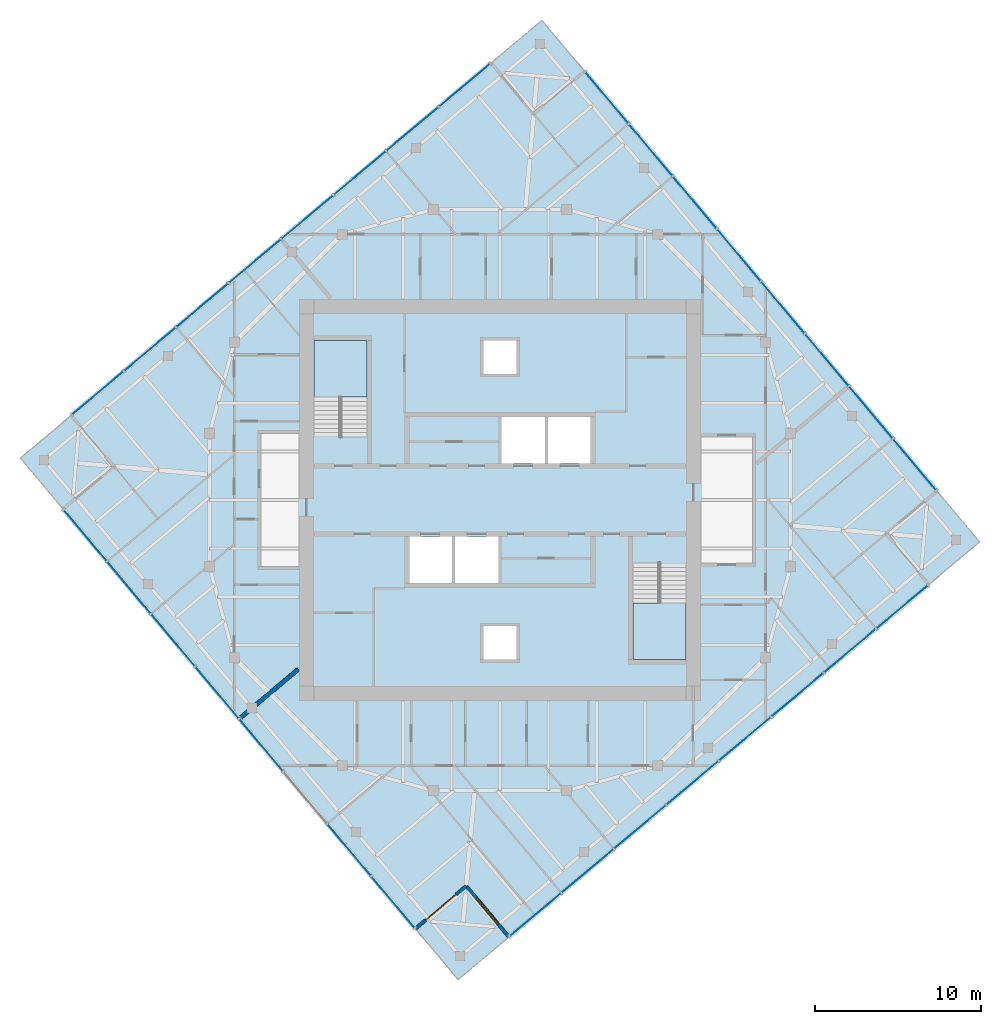
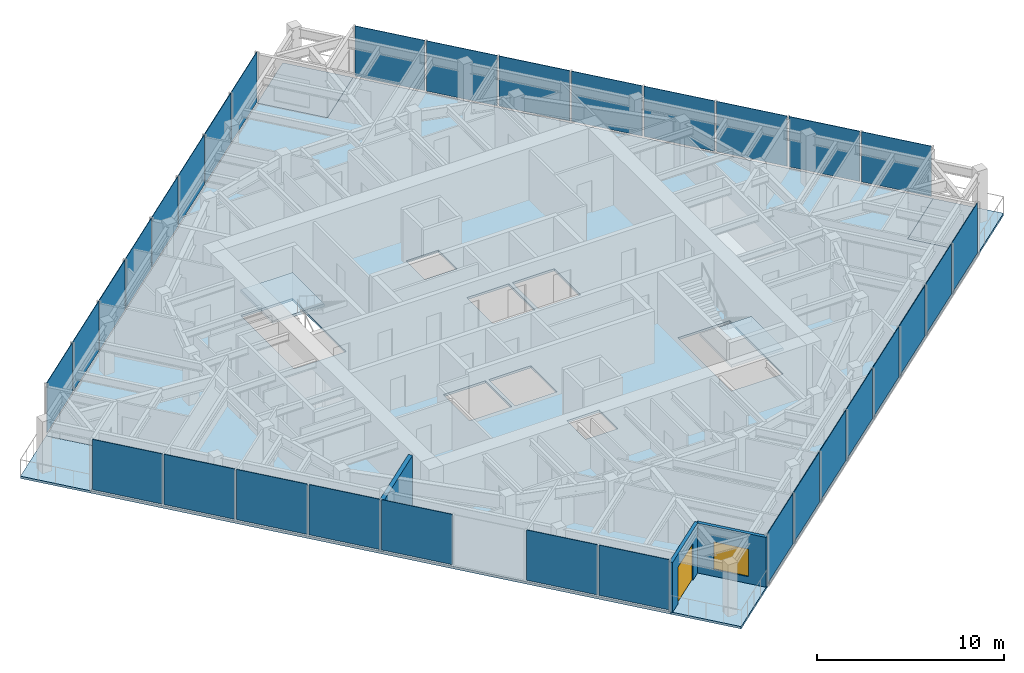
# One storey, part 6 of 12: 31 plates, 7 slabs, 3 walls, 1 door, 1 window, 2 openings, 6 elements without a shape of their own.
"""IFC4 building model written with IfcOpenShell, lengths in metres."""

from ifc_helpers import new_model, si_unit, direction, frame, frame_2d, origin, origin_2d, place, context, subcontext, project, spatial, polyline, rectangle, outline, extrude, material, layer, layer_set, type_object, element, fill, aggregate, save


model = new_model("IFC4")

# Units and contexts
model_context = context("Model", 3, precision=1e-05, world=origin(), true_north=direction((0.0, 1.0)))
body_context = subcontext(model_context, "Body", "Model", "MODEL_VIEW")
ifc_project = project(units=[si_unit("LENGTHUNIT", "METRE"), si_unit("AREAUNIT", "SQUARE_METRE"), si_unit("VOLUMEUNIT", "CUBIC_METRE"), si_unit("PLANEANGLEUNIT", "RADIAN"), si_unit("MASSUNIT", "GRAM", prefix="KILO")], contexts=[model_context])

# Site, building, storey
site_placement = place(None, origin())
site = spatial("IfcSite", under=ifc_project, at=site_placement, CompositionType="ELEMENT")
building_placement = place(site_placement, origin())
building = spatial("IfcBuilding", under=site, at=building_placement, Name="Torsade Residences", CompositionType="ELEMENT")
storey_placement = place(building_placement, frame((0.0, 0.0, 289.60009765625)))
storey = spatial("IfcBuildingStorey", under=building, at=storey_placement, Name="L80", CompositionType="ELEMENT", Elevation=289.60009765625)

# Slab
ifc_material_1 = material(Name="Concrete 40 MPa", Category="concrete")
ifc_layer_1 = layer(ifc_material_1, 0.14990234375)
ifc_layer_set_1 = layer_set([ifc_layer_1], Name="Concrete 40 MPa")
slab_type_1 = type_object("IfcSlabType", Name="COMPOSITE FLOOR SLAB 150", PredefinedType="FLOOR", material=ifc_layer_set_1)
slab_1_placement = place(storey_placement, frame((0.0, 0.0, -0.150146484375)))
element("IfcSlab", 1, at=slab_1_placement, inside=storey, type_object=slab_type_1, Name="Floor slab L80", PredefinedType="FLOOR", context=body_context, shape_type="SweptSolid", body=[
    extrude(outline(polyline([(40.537353515625, 3.690185546875), (65.81689453125, 24.902099609375), (63.245849609375, 27.96630859375), (66.309814453125, 30.537353515625), (45.097900390625, 55.81689453125), (42.03369140625, 53.245849609375), (39.462646484375, 56.309814453125), (14.18310546875, 35.097900390625), (16.754150390625, 32.03369140625), (13.690185546875, 29.462646484375), (34.902099609375, 4.18310546875), (37.96630859375, 6.754150390625), (40.537353515625, 3.690185546875)]), holes=[polyline([(51.199951171875, 26.1201171875), (48.0, 26.1201171875), (48.0, 20.39990234375), (51.199951171875, 20.39990234375), (51.199951171875, 26.1201171875)]), polyline([(45.5, 35.0), (42.89990234375, 35.0), (42.89990234375, 32.199951171875), (45.5, 32.199951171875), (45.5, 35.0)]), polyline([(42.699951171875, 35.0), (40.10009765625, 35.0), (40.10009765625, 32.199951171875), (42.699951171875, 32.199951171875), (42.699951171875, 35.0)]), polyline([(41.0, 22.39990234375), (39.0, 22.39990234375), (39.0, 20.39990234375), (41.0, 20.39990234375), (41.0, 22.39990234375)]), polyline([(41.0, 39.60009765625), (39.0, 39.60009765625), (39.0, 37.60009765625), (41.0, 37.60009765625), (41.0, 39.60009765625)]), polyline([(39.89990234375, 27.800048828125), (37.300048828125, 27.800048828125), (37.300048828125, 25.0), (39.89990234375, 25.0), (39.89990234375, 27.800048828125)]), polyline([(37.10009765625, 27.800048828125), (34.5, 27.800048828125), (34.5, 25.0), (37.10009765625, 25.0), (37.10009765625, 27.800048828125)]), polyline([(32.0, 39.60009765625), (28.800048828125, 39.60009765625), (28.800048828125, 33.8798828125), (32.0, 33.8798828125), (32.0, 39.60009765625)])]), origin(), (0.0, 0.0, 1.0), 0.150146484375),
])

# Curtain wall, plates
ifc_material_2 = material(Name="Aluminium and glass", Category="aluminium")
curtain_wall_type = type_object("IfcCurtainWallType", Name="FRITTED GLASS CURTAIN WALL HIGH ZONE", PredefinedType="NOTDEFINED", material=ifc_material_2)
curtain_wall_1_placement = place(storey_placement, origin())
curtain_wall_1 = element("IfcCurtainWall", 2, at=curtain_wall_1_placement, inside=storey, type_object=curtain_wall_type, Name="Curtain wall L80 face 1", PredefinedType="NOTDEFINED")
ifc_material_3 = material(Name="Laminated glass", Category="glass")
ifc_layer_2 = layer(ifc_material_3, 0.031982421875)
ifc_layer_set_2 = layer_set([ifc_layer_2], Name="Laminated glass")
plate_type_1 = type_object("IfcPlateType", Name="FRITTED GLASS PANEL", PredefinedType="CURTAIN_PANEL", material=ifc_layer_set_2)
plate_1_placement = place(storey_placement, frame((42.136474609375, 5.031982421875, 0.1201171875), z_axis=(0.0, 0.0, 1.0), x_axis=(0.766044437106, 0.642787616853, 0.0)))
plate_1 = element("IfcPlate", 3, at=plate_1_placement, type_object=plate_type_1, Name="Panel 1", PredefinedType="CURTAIN_PANEL", context=body_context, shape_type="SweptSolid", body=[
    extrude(rectangle(XDim=3.97509765625, YDim=0.031982421875, at=origin_2d()), origin(), (0.0, 0.0, 1.0), 3.280029296875),
])
plate_2_placement = place(storey_placement, frame((48.437255859375, 10.31884765625, 0.1201171875), z_axis=(0.0, 0.0, 1.0), x_axis=(0.766044437106, 0.642787616853, 0.0)))
plate_2 = element("IfcPlate", 4, at=plate_2_placement, type_object=plate_type_1, Name="Panel 3", PredefinedType="CURTAIN_PANEL", context=body_context, shape_type="SweptSolid", body=[
    extrude(rectangle(XDim=4.02490234375, YDim=0.031982421875, at=origin_2d()), origin(), (0.0, 0.0, 1.0), 3.280029296875),
])
plate_3_placement = place(storey_placement, frame((51.59716796875, 12.970458984375, 0.1201171875), z_axis=(0.0, 0.0, 1.0), x_axis=(0.766044437106, 0.642787616853, 0.0)))
plate_3 = element("IfcPlate", 5, at=plate_3_placement, type_object=plate_type_1, Name="Panel 4", PredefinedType="CURTAIN_PANEL", context=body_context, shape_type="SweptSolid", body=[
    extrude(rectangle(XDim=4.02490234375, YDim=0.031982421875, at=origin_2d()), origin(), (0.0, 0.0, 1.0), 3.280029296875),
])
plate_4_placement = place(storey_placement, frame((54.757080078125, 15.621826171875, 0.1201171875), z_axis=(0.0, 0.0, 1.0), x_axis=(0.766044437106, 0.642787616853, 0.0)))
plate_4 = element("IfcPlate", 6, at=plate_4_placement, type_object=plate_type_1, Name="Panel 5", PredefinedType="CURTAIN_PANEL", context=body_context, shape_type="SweptSolid", body=[
    extrude(rectangle(XDim=4.02490234375, YDim=0.031982421875, at=origin_2d()), origin(), (0.0, 0.0, 1.0), 3.280029296875),
])
plate_5_placement = place(storey_placement, frame((61.076904296875, 20.9248046875, 0.1201171875), z_axis=(0.0, 0.0, 1.0), x_axis=(0.766044437106, 0.642787616853, 0.0)))
plate_5 = element("IfcPlate", 7, at=plate_5_placement, type_object=plate_type_1, Name="Panel 7", PredefinedType="CURTAIN_PANEL", context=body_context, shape_type="SweptSolid", body=[
    extrude(rectangle(XDim=4.02490234375, YDim=0.031982421875, at=origin_2d()), origin(), (0.0, 0.0, 1.0), 3.280029296875),
])
plate_6_placement = place(storey_placement, frame((64.2177734375, 23.560302734375, 0.1201171875), z_axis=(0.0, 0.0, 1.0), x_axis=(0.766044437106, 0.642787616853, 0.0)))
plate_6 = element("IfcPlate", 8, at=plate_6_placement, type_object=plate_type_1, Name="Panel 8", PredefinedType="CURTAIN_PANEL", context=body_context, shape_type="SweptSolid", body=[
    extrude(rectangle(XDim=3.97509765625, YDim=0.031982421875, at=origin_2d()), origin(), (0.0, 0.0, 1.0), 3.280029296875),
])

curtain_wall_2_placement = place(storey_placement, origin())
curtain_wall_2 = element("IfcCurtainWall", 9, at=curtain_wall_2_placement, inside=storey, type_object=curtain_wall_type, Name="Curtain wall L80 face 4", PredefinedType="NOTDEFINED")
plate_7_placement = place(storey_placement, frame((64.968017578125, 32.136474609375, 0.1201171875), z_axis=(0.0, 0.0, 1.0), x_axis=(-0.642787616853, 0.766044437106, 0.0)))
plate_7 = element("IfcPlate", 10, at=plate_7_placement, type_object=plate_type_1, Name="Panel 1", PredefinedType="CURTAIN_PANEL", context=body_context, shape_type="SweptSolid", body=[
    extrude(rectangle(XDim=3.97509765625, YDim=0.031982421875, at=origin_2d()), origin(), (0.0, 0.0, 1.0), 3.280029296875),
])
plate_8_placement = place(storey_placement, frame((59.68115234375, 38.437255859375, 0.1201171875), z_axis=(0.0, 0.0, 1.0), x_axis=(-0.642787616853, 0.766044437106, 0.0)))
plate_8 = element("IfcPlate", 11, at=plate_8_placement, type_object=plate_type_1, Name="Panel 3", PredefinedType="CURTAIN_PANEL", context=body_context, shape_type="SweptSolid", body=[
    extrude(rectangle(XDim=4.02490234375, YDim=0.031982421875, at=origin_2d()), origin(), (0.0, 0.0, 1.0), 3.280029296875),
])
plate_9_placement = place(storey_placement, frame((57.029541015625, 41.59716796875, 0.1201171875), z_axis=(0.0, 0.0, 1.0), x_axis=(-0.642787616853, 0.766044437106, 0.0)))
plate_9 = element("IfcPlate", 12, at=plate_9_placement, type_object=plate_type_1, Name="Panel 4", PredefinedType="CURTAIN_PANEL", context=body_context, shape_type="SweptSolid", body=[
    extrude(rectangle(XDim=4.02490234375, YDim=0.031982421875, at=origin_2d()), origin(), (0.0, 0.0, 1.0), 3.280029296875),
])
plate_10_placement = place(storey_placement, frame((54.378173828125, 44.757080078125, 0.1201171875), z_axis=(0.0, 0.0, 1.0), x_axis=(-0.642787616853, 0.766044437106, 0.0)))
plate_10 = element("IfcPlate", 13, at=plate_10_placement, type_object=plate_type_1, Name="Panel 5", PredefinedType="CURTAIN_PANEL", context=body_context, shape_type="SweptSolid", body=[
    extrude(rectangle(XDim=4.02490234375, YDim=0.031982421875, at=origin_2d()), origin(), (0.0, 0.0, 1.0), 3.280029296875),
])
plate_11_placement = place(storey_placement, frame((49.0751953125, 51.076904296875, 0.1201171875), z_axis=(0.0, 0.0, 1.0), x_axis=(-0.642787616853, 0.766044437106, 0.0)))
plate_11 = element("IfcPlate", 14, at=plate_11_placement, type_object=plate_type_1, Name="Panel 7", PredefinedType="CURTAIN_PANEL", context=body_context, shape_type="SweptSolid", body=[
    extrude(rectangle(XDim=4.02490234375, YDim=0.031982421875, at=origin_2d()), origin(), (0.0, 0.0, 1.0), 3.280029296875),
])
plate_12_placement = place(storey_placement, frame((46.439697265625, 54.2177734375, 0.1201171875), z_axis=(0.0, 0.0, 1.0), x_axis=(-0.642787616853, 0.766044437106, 0.0)))
plate_12 = element("IfcPlate", 15, at=plate_12_placement, type_object=plate_type_1, Name="Panel 8", PredefinedType="CURTAIN_PANEL", context=body_context, shape_type="SweptSolid", body=[
    extrude(rectangle(XDim=3.97509765625, YDim=0.031982421875, at=origin_2d()), origin(), (0.0, 0.0, 1.0), 3.280029296875),
])

curtain_wall_3_placement = place(storey_placement, origin())
curtain_wall_3 = element("IfcCurtainWall", 16, at=curtain_wall_3_placement, inside=storey, type_object=curtain_wall_type, Name="Curtain wall L80 face 7", PredefinedType="NOTDEFINED")
plate_13_placement = place(storey_placement, frame((37.863525390625, 54.968017578125, 0.1201171875), z_axis=(0.0, 0.0, 1.0), x_axis=(-0.766044437106, -0.642787616853, 0.0)))
plate_13 = element("IfcPlate", 17, at=plate_13_placement, type_object=plate_type_1, Name="Panel 1", PredefinedType="CURTAIN_PANEL", context=body_context, shape_type="SweptSolid", body=[
    extrude(rectangle(XDim=3.97509765625, YDim=0.031982421875, at=origin_2d()), origin(), (0.0, 0.0, 1.0), 3.280029296875),
])
plate_14_placement = place(storey_placement, frame((31.562744140625, 49.68115234375, 0.1201171875), z_axis=(0.0, 0.0, 1.0), x_axis=(-0.766044437106, -0.642787616853, 0.0)))
plate_14 = element("IfcPlate", 18, at=plate_14_placement, type_object=plate_type_1, Name="Panel 3", PredefinedType="CURTAIN_PANEL", context=body_context, shape_type="SweptSolid", body=[
    extrude(rectangle(XDim=4.02490234375, YDim=0.031982421875, at=origin_2d()), origin(), (0.0, 0.0, 1.0), 3.280029296875),
])
plate_15_placement = place(storey_placement, frame((28.40283203125, 47.029541015625, 0.1201171875), z_axis=(0.0, 0.0, 1.0), x_axis=(-0.766044437106, -0.642787616853, 0.0)))
plate_15 = element("IfcPlate", 19, at=plate_15_placement, type_object=plate_type_1, Name="Panel 4", PredefinedType="CURTAIN_PANEL", context=body_context, shape_type="SweptSolid", body=[
    extrude(rectangle(XDim=4.02490234375, YDim=0.031982421875, at=origin_2d()), origin(), (0.0, 0.0, 1.0), 3.280029296875),
])
plate_16_placement = place(storey_placement, frame((25.242919921875, 44.378173828125, 0.1201171875), z_axis=(0.0, 0.0, 1.0), x_axis=(-0.766044437106, -0.642787616853, 0.0)))
plate_16 = element("IfcPlate", 20, at=plate_16_placement, type_object=plate_type_1, Name="Panel 5", PredefinedType="CURTAIN_PANEL", context=body_context, shape_type="SweptSolid", body=[
    extrude(rectangle(XDim=4.02490234375, YDim=0.031982421875, at=origin_2d()), origin(), (0.0, 0.0, 1.0), 3.280029296875),
])
plate_17_placement = place(storey_placement, frame((18.923095703125, 39.0751953125, 0.1201171875), z_axis=(0.0, 0.0, 1.0), x_axis=(-0.766044437106, -0.642787616853, 0.0)))
plate_17 = element("IfcPlate", 21, at=plate_17_placement, type_object=plate_type_1, Name="Panel 7", PredefinedType="CURTAIN_PANEL", context=body_context, shape_type="SweptSolid", body=[
    extrude(rectangle(XDim=4.02490234375, YDim=0.031982421875, at=origin_2d()), origin(), (0.0, 0.0, 1.0), 3.280029296875),
])
plate_18_placement = place(storey_placement, frame((15.7822265625, 36.439697265625, 0.1201171875), z_axis=(0.0, 0.0, 1.0), x_axis=(-0.766044437106, -0.642787616853, 0.0)))
plate_18 = element("IfcPlate", 22, at=plate_18_placement, type_object=plate_type_1, Name="Panel 8", PredefinedType="CURTAIN_PANEL", context=body_context, shape_type="SweptSolid", body=[
    extrude(rectangle(XDim=3.97509765625, YDim=0.031982421875, at=origin_2d()), origin(), (0.0, 0.0, 1.0), 3.280029296875),
])

curtain_wall_4_placement = place(storey_placement, origin())
curtain_wall_4 = element("IfcCurtainWall", 23, at=curtain_wall_4_placement, inside=storey, type_object=curtain_wall_type, Name="Curtain wall L80 face 10", PredefinedType="NOTDEFINED")
plate_19_placement = place(storey_placement, frame((15.031982421875, 27.863525390625, 0.1201171875), z_axis=(0.0, 0.0, 1.0), x_axis=(0.642787616853, -0.766044437106, 0.0)))
plate_19 = element("IfcPlate", 24, at=plate_19_placement, type_object=plate_type_1, Name="Panel 1", PredefinedType="CURTAIN_PANEL", context=body_context, shape_type="SweptSolid", body=[
    extrude(rectangle(XDim=3.97509765625, YDim=0.031982421875, at=origin_2d()), origin(), (0.0, 0.0, 1.0), 3.280029296875),
])
plate_20_placement = place(storey_placement, frame((20.31884765625, 21.562744140625, 0.1201171875), z_axis=(0.0, 0.0, 1.0), x_axis=(0.642787616853, -0.766044437106, 0.0)))
plate_20 = element("IfcPlate", 25, at=plate_20_placement, type_object=plate_type_1, Name="Panel 3", PredefinedType="CURTAIN_PANEL", context=body_context, shape_type="SweptSolid", body=[
    extrude(rectangle(XDim=4.02490234375, YDim=0.031982421875, at=origin_2d()), origin(), (0.0, 0.0, 1.0), 3.280029296875),
])
plate_21_placement = place(storey_placement, frame((22.970458984375, 18.40283203125, 0.1201171875), z_axis=(0.0, 0.0, 1.0), x_axis=(0.642787616853, -0.766044437106, 0.0)))
plate_21 = element("IfcPlate", 26, at=plate_21_placement, type_object=plate_type_1, Name="Panel 4", PredefinedType="CURTAIN_PANEL", context=body_context, shape_type="SweptSolid", body=[
    extrude(rectangle(XDim=4.02490234375, YDim=0.031982421875, at=origin_2d()), origin(), (0.0, 0.0, 1.0), 3.280029296875),
])
plate_22_placement = place(storey_placement, frame((25.621826171875, 15.242919921875, 0.1201171875), z_axis=(0.0, 0.0, 1.0), x_axis=(0.642787616853, -0.766044437106, 0.0)))
plate_22 = element("IfcPlate", 27, at=plate_22_placement, type_object=plate_type_1, Name="Panel 5", PredefinedType="CURTAIN_PANEL", context=body_context, shape_type="SweptSolid", body=[
    extrude(rectangle(XDim=4.02490234375, YDim=0.031982421875, at=origin_2d()), origin(), (0.0, 0.0, 1.0), 3.280029296875),
])
plate_23_placement = place(storey_placement, frame((30.9248046875, 8.923095703125, 0.1201171875), z_axis=(0.0, 0.0, 1.0), x_axis=(0.642787616853, -0.766044437106, 0.0)))
plate_23 = element("IfcPlate", 28, at=plate_23_placement, type_object=plate_type_1, Name="Panel 7", PredefinedType="CURTAIN_PANEL", context=body_context, shape_type="SweptSolid", body=[
    extrude(rectangle(XDim=4.02490234375, YDim=0.031982421875, at=origin_2d()), origin(), (0.0, 0.0, 1.0), 3.280029296875),
])
plate_24_placement = place(storey_placement, frame((33.560302734375, 5.7822265625, 0.1201171875), z_axis=(0.0, 0.0, 1.0), x_axis=(0.642787616853, -0.766044437106, 0.0)))
plate_24 = element("IfcPlate", 29, at=plate_24_placement, type_object=plate_type_1, Name="Panel 8", PredefinedType="CURTAIN_PANEL", context=body_context, shape_type="SweptSolid", body=[
    extrude(rectangle(XDim=3.97509765625, YDim=0.031982421875, at=origin_2d()), origin(), (0.0, 0.0, 1.0), 3.280029296875),
])

# Plate
ifc_material_4 = material(Name="Laminated glass", Category="glass")
ifc_layer_3 = layer(ifc_material_4, 0.0400390625)
ifc_layer_set_3 = layer_set([ifc_layer_3], Name="Laminated glass")
plate_type_2 = type_object("IfcPlateType", Name="OPERABLE VENT PANEL", PredefinedType="CURTAIN_PANEL", material=ifc_layer_set_3)
plate_25_placement = place(storey_placement, frame((45.27734375, 7.667236328125, 0.1201171875), z_axis=(0.0, 0.0, 1.0), x_axis=(0.766044437106, 0.642787616853, 0.0)))
plate_25 = element("IfcPlate", 30, at=plate_25_placement, type_object=plate_type_2, Name="Panel 2", PredefinedType="CURTAIN_PANEL", context=body_context, shape_type="SweptSolid", body=[
    extrude(rectangle(XDim=4.02490234375, YDim=0.0400390625, at=origin_2d()), origin(), (0.0, 0.0, 1.0), 3.280029296875),
])

plate_26_placement = place(storey_placement, frame((57.9169921875, 18.2734375, 0.1201171875), z_axis=(0.0, 0.0, 1.0), x_axis=(0.766044437106, 0.642787616853, 0.0)))
plate_26 = element("IfcPlate", 31, at=plate_26_placement, type_object=plate_type_2, Name="Panel 6", PredefinedType="CURTAIN_PANEL", context=body_context, shape_type="SweptSolid", body=[
    extrude(rectangle(XDim=4.02490234375, YDim=0.0400390625, at=origin_2d()), origin(), (0.0, 0.0, 1.0), 3.280029296875),
])

aggregate(curtain_wall_1, [plate_1, plate_25, plate_2, plate_3, plate_4, plate_26, plate_5, plate_6])

plate_27_placement = place(storey_placement, frame((62.332763671875, 35.27734375, 0.1201171875), z_axis=(0.0, 0.0, 1.0), x_axis=(-0.642787616853, 0.766044437106, 0.0)))
plate_27 = element("IfcPlate", 32, at=plate_27_placement, type_object=plate_type_2, Name="Panel 2", PredefinedType="CURTAIN_PANEL", context=body_context, shape_type="SweptSolid", body=[
    extrude(rectangle(XDim=4.02490234375, YDim=0.0400390625, at=origin_2d()), origin(), (0.0, 0.0, 1.0), 3.280029296875),
])

plate_28_placement = place(storey_placement, frame((51.7265625, 47.9169921875, 0.1201171875), z_axis=(0.0, 0.0, 1.0), x_axis=(-0.642787616853, 0.766044437106, 0.0)))
plate_28 = element("IfcPlate", 33, at=plate_28_placement, type_object=plate_type_2, Name="Panel 6", PredefinedType="CURTAIN_PANEL", context=body_context, shape_type="SweptSolid", body=[
    extrude(rectangle(XDim=4.02490234375, YDim=0.0400390625, at=origin_2d()), origin(), (0.0, 0.0, 1.0), 3.280029296875),
])

aggregate(curtain_wall_2, [plate_7, plate_27, plate_8, plate_9, plate_10, plate_28, plate_11, plate_12])

plate_29_placement = place(storey_placement, frame((34.72265625, 52.332763671875, 0.1201171875), z_axis=(0.0, 0.0, 1.0), x_axis=(-0.766044437106, -0.642787616853, 0.0)))
plate_29 = element("IfcPlate", 34, at=plate_29_placement, type_object=plate_type_2, Name="Panel 2", PredefinedType="CURTAIN_PANEL", context=body_context, shape_type="SweptSolid", body=[
    extrude(rectangle(XDim=4.02490234375, YDim=0.0400390625, at=origin_2d()), origin(), (0.0, 0.0, 1.0), 3.280029296875),
])

plate_30_placement = place(storey_placement, frame((22.0830078125, 41.7265625, 0.1201171875), z_axis=(0.0, 0.0, 1.0), x_axis=(-0.766044437106, -0.642787616853, 0.0)))
plate_30 = element("IfcPlate", 35, at=plate_30_placement, type_object=plate_type_2, Name="Panel 6", PredefinedType="CURTAIN_PANEL", context=body_context, shape_type="SweptSolid", body=[
    extrude(rectangle(XDim=4.02490234375, YDim=0.0400390625, at=origin_2d()), origin(), (0.0, 0.0, 1.0), 3.280029296875),
])

aggregate(curtain_wall_3, [plate_13, plate_29, plate_14, plate_15, plate_16, plate_30, plate_17, plate_18])

plate_31_placement = place(storey_placement, frame((17.667236328125, 24.72265625, 0.1201171875), z_axis=(0.0, 0.0, 1.0), x_axis=(0.642787616853, -0.766044437106, 0.0)))
plate_31 = element("IfcPlate", 36, at=plate_31_placement, type_object=plate_type_2, Name="Panel 2", PredefinedType="CURTAIN_PANEL", context=body_context, shape_type="SweptSolid", body=[
    extrude(rectangle(XDim=4.02490234375, YDim=0.0400390625, at=origin_2d()), origin(), (0.0, 0.0, 1.0), 3.280029296875),
])

aggregate(curtain_wall_4, [plate_19, plate_31, plate_20, plate_21, plate_22, plate_23, plate_24])

# Stair, slab
ifc_material_5 = material(Name="Precast concrete 40 MPa", Category="concrete")
stair_type = type_object("IfcStairType", Name="HALF-TURN FIRE STAIR 1500x3400", PredefinedType="HALF_TURN_STAIR", material=ifc_material_5)
stair_1_placement = place(storey_placement, origin())
stair_1 = element("IfcStair", 37, at=stair_1_placement, inside=storey, type_object=stair_type, Name="Stair ST1 L80", PredefinedType="HALF_TURN_STAIR")
ifc_material_6 = material(Name="Precast concrete 40 MPa", Category="concrete")
ifc_layer_4 = layer(ifc_material_6, 0.179931640625)
ifc_layer_set_4 = layer_set([ifc_layer_4], Name="Precast concrete 40 MPa")
slab_type_2 = type_object("IfcSlabType", Name="PRECAST STAIR LANDING 180", PredefinedType="LANDING", material=ifc_layer_set_4)
slab_2_placement = place(storey_placement, frame((0.0, 0.0, 1.52001953125)))
slab_2 = element("IfcSlab", 38, at=slab_2_placement, type_object=slab_type_2, Name="ST1 landing 1", PredefinedType="LANDING", context=body_context, shape_type="SweptSolid", body=[
    extrude(outline(polyline([(28.800048828125, 36.2099609375), (32.0, 36.2099609375), (32.0, 39.60009765625), (28.800048828125, 39.60009765625), (28.800048828125, 36.2099609375)])), origin(), (0.0, 0.0, 1.0), 0.179931640625),
])
aggregate(stair_1, [slab_2])

stair_2_placement = place(storey_placement, origin())
stair_2 = element("IfcStair", 39, at=stair_2_placement, inside=storey, type_object=stair_type, Name="Stair ST2 L80", PredefinedType="HALF_TURN_STAIR")
slab_3_placement = place(storey_placement, frame((0.0, 0.0, 1.52001953125)))
slab_3 = element("IfcSlab", 40, at=slab_3_placement, type_object=slab_type_2, Name="ST2 landing 1", PredefinedType="LANDING", context=body_context, shape_type="SweptSolid", body=[
    extrude(outline(polyline([(48.0, 20.39990234375), (51.199951171875, 20.39990234375), (51.199951171875, 23.7900390625), (48.0, 23.7900390625), (48.0, 20.39990234375)])), origin(), (0.0, 0.0, 1.0), 0.179931640625),
])
aggregate(stair_2, [slab_3])

# Slabs
ifc_material_7 = material(Name="Concrete 40 MPa", Category="concrete")
ifc_layer_5 = layer(ifc_material_7, 0.14990234375)
ifc_layer_set_5 = layer_set([ifc_layer_5], Name="Concrete 40 MPa")
slab_type_3 = type_object("IfcSlabType", Name="TERRACE SLAB 150", PredefinedType="FLOOR", material=ifc_layer_set_5)
slab_4_placement = place(storey_placement, frame((0.0, 0.0, -0.150146484375)))
element("IfcSlab", 41, at=slab_4_placement, inside=storey, type_object=slab_type_3, Name="Corner terrace slab SE L80", PredefinedType="FLOOR", context=body_context, shape_type="SweptSolid", body=[
    extrude(outline(polyline([(65.81689453125, 24.902099609375), (68.881103515625, 27.47314453125), (66.309814453125, 30.537353515625), (63.245849609375, 27.96630859375), (65.81689453125, 24.902099609375)])), origin(), (0.0, 0.0, 1.0), 0.150146484375),
])
slab_5_placement = place(storey_placement, frame((0.0, 0.0, -0.150146484375)))
element("IfcSlab", 42, at=slab_5_placement, inside=storey, type_object=slab_type_3, Name="Corner terrace slab NE L80", PredefinedType="FLOOR", context=body_context, shape_type="SweptSolid", body=[
    extrude(outline(polyline([(42.03369140625, 53.245849609375), (45.097900390625, 55.81689453125), (42.52685546875, 58.881103515625), (39.462646484375, 56.309814453125), (42.03369140625, 53.245849609375)])), origin(), (0.0, 0.0, 1.0), 0.150146484375),
])
slab_6_placement = place(storey_placement, frame((0.0, 0.0, -0.150146484375)))
element("IfcSlab", 43, at=slab_6_placement, inside=storey, type_object=slab_type_3, Name="Corner terrace slab NW L80", PredefinedType="FLOOR", context=body_context, shape_type="SweptSolid", body=[
    extrude(outline(polyline([(13.690185546875, 29.462646484375), (16.754150390625, 32.03369140625), (14.18310546875, 35.097900390625), (11.118896484375, 32.52685546875), (13.690185546875, 29.462646484375)])), origin(), (0.0, 0.0, 1.0), 0.150146484375),
])
slab_7_placement = place(storey_placement, frame((0.0, 0.0, -0.150146484375)))
element("IfcSlab", 44, at=slab_7_placement, inside=storey, type_object=slab_type_3, Name="Corner terrace slab SW L80", PredefinedType="FLOOR", context=body_context, shape_type="SweptSolid", body=[
    extrude(outline(polyline([(37.47314453125, 1.118896484375), (40.537353515625, 3.690185546875), (37.96630859375, 6.754150390625), (34.902099609375, 4.18310546875), (37.47314453125, 1.118896484375)])), origin(), (0.0, 0.0, 1.0), 0.150146484375),
])

# Wall
ifc_material_8 = material(Name="Masonry-lined stud party wall", Category="masonry")
ifc_layer_6 = layer(ifc_material_8, 0.25)
ifc_layer_set_6 = layer_set([ifc_layer_6], Name="Masonry-lined stud party wall")
wall_type_1 = type_object("IfcWallType", Name="PARTY WALL 250", PredefinedType="PARTITIONING", material=ifc_layer_set_6)
wall_1_placement = place(storey_placement, frame((24.296142578125, 16.82275390625, 0.0), z_axis=(0.0, 0.0, 1.0), x_axis=(0.76603440109, 0.64279957712, 0.0)))
element("IfcWall", 45, at=wall_1_placement, inside=storey, type_object=wall_type_1, Name="Party wall L80", PredefinedType="PARTITIONING", context=body_context, shape_type="SweptSolid", body=[
    extrude(rectangle(XDim=4.6396484375, YDim=0.25, at=frame_2d((2.31982421875, 0.0))), origin(), (0.0, 0.0, 1.0), 3.25),
])

# Wall, opening, door
ifc_material_9 = material(Name="Stone-faced precast concrete 40 MPa panel", Category="masonry")
ifc_layer_7 = layer(ifc_material_9, 0.199951171875)
ifc_layer_set_7 = layer_set([ifc_layer_7], Name="Stone-faced precast concrete 40 MPa panel")
wall_type_2 = type_object("IfcWallType", Name="TERRACE WALL 200", PredefinedType="SOLIDWALL", material=ifc_layer_set_7)
wall_2_placement = place(storey_placement, frame((34.902099609375, 4.18310546875, 0.0), z_axis=(0.0, 0.0, 1.0), x_axis=(0.766060656284, 0.642768287094, 0.0)))
wall_2 = element("IfcWall", 46, at=wall_2_placement, inside=storey, type_object=wall_type_2, Name="Terrace wall L80 11", PredefinedType="SOLIDWALL", context=body_context, shape_type="SweptSolid", body=[
    extrude(rectangle(XDim=4.0, YDim=0.199951171875, at=frame_2d((2.0, 0.0))), origin(), (0.0, 0.0, 1.0), 3.25),
])
opening_1_placement = place(wall_2_placement, frame((0.800048828125, 0.0, 0.0)))
opening_1 = element("IfcOpeningElement", 47, at=opening_1_placement, cuts=wall_2, Name="Opening D10", PredefinedType="OPENING", context=body_context, shape_type="SweptSolid", body=[
    extrude(rectangle(XDim=2.39990234375, YDim=2.39990234375, at=frame_2d((1.199951171875, 1.199951171875))), frame((0.0, 0.10986328125, 0.0), z_axis=(0.0, -1.0, 0.0), x_axis=(1.0, 0.0, 0.0)), (0.0, 0.0, 1.0), 0.219970703125),
])
ifc_material_10 = material(Name="Aluminium-framed glass door", Category="aluminium")
door_type = type_object("IfcDoorType", Name="TERRACE SLIDING DOOR 2400", OperationType="SLIDING_TO_LEFT", PredefinedType="DOOR", material=ifc_material_10)
door_placement = place(opening_1_placement, origin())
door = element("IfcDoor", 48, at=door_placement, inside=storey, type_object=door_type, Name="Terrace door L80 11", OperationType="SLIDING_TO_LEFT", OverallHeight=2.39990234375, OverallWidth=2.39990234375, PredefinedType="DOOR", context=body_context, shape_type="SweptSolid", body=[
    extrude(rectangle(XDim=2.39990234375, YDim=2.39990234375, at=frame_2d((1.199951171875, 1.199951171875))), frame((0.0, 0.02490234375, 0.0), z_axis=(0.0, -1.0, 0.0), x_axis=(1.0, 0.0, 0.0)), (0.0, 0.0, 1.0), 0.050048828125),
])
fill(opening_1, door)

# Wall, opening, window
wall_3_placement = place(storey_placement, frame((37.96630859375, 6.754150390625, 0.0), z_axis=(0.0, 0.0, 1.0), x_axis=(0.642798342015, -0.766035437498, 0.0)))
wall_3 = element("IfcWall", 49, at=wall_3_placement, inside=storey, type_object=wall_type_2, Name="Terrace wall L80 12", PredefinedType="SOLIDWALL", context=body_context, shape_type="SweptSolid", body=[
    extrude(rectangle(XDim=3.999755859375, YDim=0.199951171875, at=frame_2d((2.0, 0.0))), origin(), (0.0, 0.0, 1.0), 3.25),
])
opening_2_placement = place(wall_3_placement, frame((1.0, 0.0, 0.449951171875)))
opening_2 = element("IfcOpeningElement", 50, at=opening_2_placement, cuts=wall_3, Name="Opening W1B", PredefinedType="OPENING", context=body_context, shape_type="SweptSolid", body=[
    extrude(rectangle(XDim=2.0, YDim=1.800048828125, at=frame_2d((1.0, 0.89990234375))), frame((0.0, 0.10986328125, 0.0), z_axis=(0.0, -1.0, 0.0), x_axis=(1.0, 0.0, 0.0)), (0.0, 0.0, 1.0), 0.219970703125),
])
ifc_material_11 = material(Name="Aluminium-framed glass window", Category="aluminium")
window_type = type_object("IfcWindowType", Name="TERRACE WINDOW 2000x1800", PartitioningType="SINGLE_PANEL", PredefinedType="WINDOW", material=ifc_material_11)
window_placement = place(opening_2_placement, origin())
window = element("IfcWindow", 51, at=window_placement, inside=storey, type_object=window_type, Name="Terrace window L80 12", OverallHeight=1.800048828125, OverallWidth=2.0, PartitioningType="SINGLE_PANEL", PredefinedType="WINDOW", context=body_context, shape_type="SweptSolid", body=[
    extrude(rectangle(XDim=2.0, YDim=1.800048828125, at=frame_2d((1.0, 0.89990234375))), frame((0.0, 0.030029296875, 0.0), z_axis=(0.0, -1.0, 0.0), x_axis=(1.0, 0.0, 0.0)), (0.0, 0.0, 1.0), 0.06005859375),
])
fill(opening_2, window)

save(model, "model.ifc")
